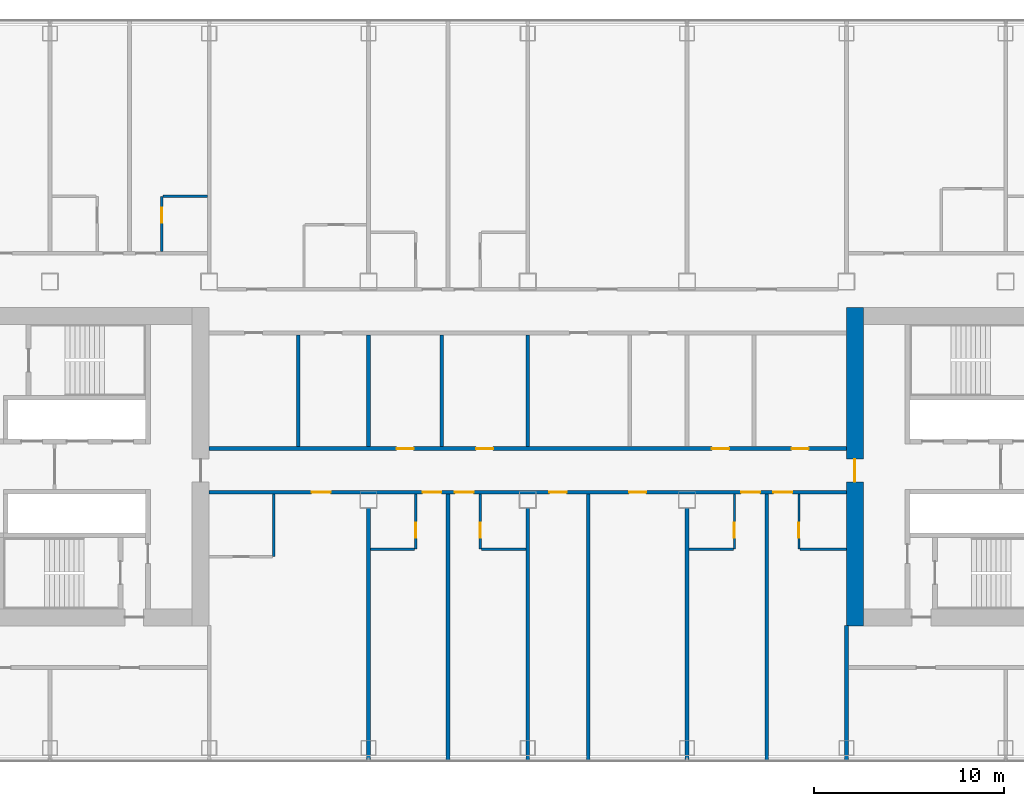
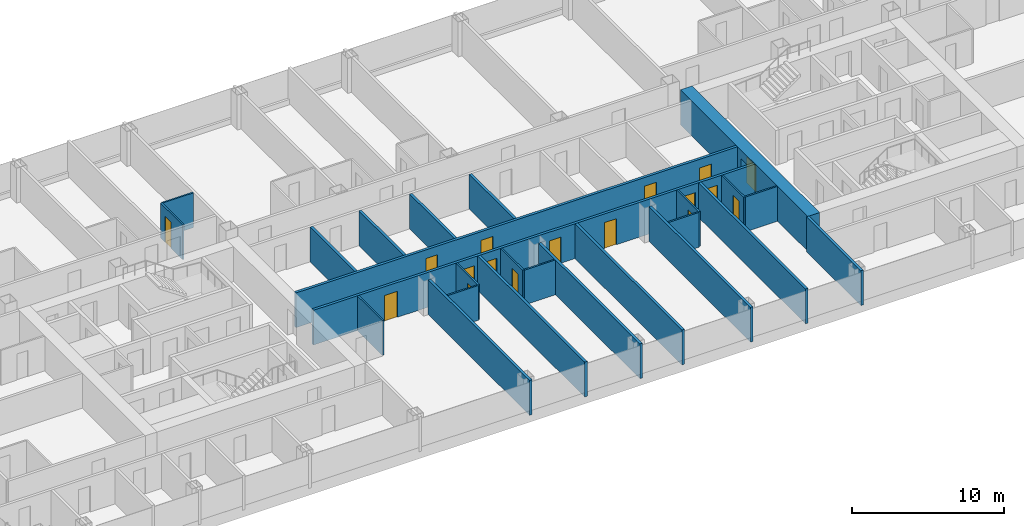
# One storey, part 17 of 29: 25 walls, 17 doors, 17 openings.
"""IFC4 building model written with IfcOpenShell, lengths in metres."""

from ifc_helpers import new_model, si_unit, direction, frame, frame_2d, origin, place, context, subcontext, project, spatial, rectangle, extrude, material, layer, layer_set, type_object, element, fill, save


model = new_model("IFC4")

# Units and contexts
model_context = context("Model", 3, precision=1e-05, world=origin(), true_north=direction((0.0, 1.0)))
body_context = subcontext(model_context, "Body", "Model", "MODEL_VIEW")
ifc_project = project(units=[si_unit("LENGTHUNIT", "METRE"), si_unit("AREAUNIT", "SQUARE_METRE"), si_unit("VOLUMEUNIT", "CUBIC_METRE"), si_unit("PLANEANGLEUNIT", "RADIAN"), si_unit("MASSUNIT", "GRAM", prefix="KILO")], contexts=[model_context])

# Site, building, storey
site_placement = place(None, origin())
site = spatial("IfcSite", under=ifc_project, at=site_placement, CompositionType="ELEMENT")
building_placement = place(site_placement, origin())
building = spatial("IfcBuilding", under=site, at=building_placement, Name="Hakoniwa Tower and Hamabe Station Hall", CompositionType="ELEMENT")
storey_placement = place(building_placement, frame((0.0, 0.0, 113.800048828125)))
storey = spatial("IfcBuildingStorey", under=building, at=storey_placement, Name="L32", CompositionType="ELEMENT", Elevation=113.800048828125)

# Walls
ifc_material_1 = material(Name="Gypsum board partition", Category="gypsum")
ifc_layer_1 = layer(ifc_material_1, 0.125)
ifc_layer_set_1 = layer_set([ifc_layer_1], Name="Bathroom Partition 125")
wall_type_1 = type_object("IfcWallType", Name="Bathroom Partition 125", PredefinedType="PARTITIONING", material=ifc_layer_set_1)
wall_1_placement = place(storey_placement, frame((-8.300048828125, -4.35009765625, 0.0), z_axis=(0.0, 0.0, 1.0), x_axis=(1.0, 0.0, 0.0)))
element("IfcWall", 1, at=wall_1_placement, inside=storey, type_object=wall_type_1, Name="GW-L32-008", PredefinedType="PARTITIONING", context=body_context, shape_type="SweptSolid", body=[
    extrude(rectangle(XDim=2.337646484375, YDim=0.125, at=frame_2d((1.1689453125, 0.0))), origin(), (0.0, 0.0, 1.0), 2.800048828125),
])
for number, where, z_axis, x_axis, name in (
    (2, (-2.4375, -4.35009765625, 0.0), (0.0, 0.0, 1.0), (1.0, 0.0, 0.0), "GW-L32-009"),
    (3, (8.5, -4.35009765625, 0.0), (0.0, 0.0, 1.0), (1.0, 0.0, 0.0), "GW-L32-010"),
):
    element("IfcWall", number, at=place(storey_placement, frame(where, z_axis=z_axis, x_axis=x_axis)), inside=storey, type_object=wall_type_1, Name=name, PredefinedType="PARTITIONING", context=body_context, shape_type="SweptSolid", body=[
        extrude(rectangle(XDim=2.33740234375, YDim=0.125, at=frame_2d((1.168701171875, 0.0))), origin(), (0.0, 0.0, 1.0), 2.800048828125),
    ])
wall_2_placement = place(storey_placement, frame((14.362548828125, -4.35009765625, 0.0), z_axis=(0.0, 0.0, 1.0), x_axis=(1.0, 0.0, 0.0)))
element("IfcWall", 4, at=wall_2_placement, inside=storey, type_object=wall_type_1, Name="GW-L32-011", PredefinedType="PARTITIONING", context=body_context, shape_type="SweptSolid", body=[
    extrude(rectangle(XDim=2.447509765625, YDim=0.125, at=frame_2d((1.2236328125, 0.0))), origin(), (0.0, 0.0, 1.0), 2.800048828125),
])
wall_3_placement = place(storey_placement, frame((-19.237548828125, 14.25, 0.0), z_axis=(0.0, 0.0, 1.0), x_axis=(1.0, 0.0, 0.0)))
element("IfcWall", 5, at=wall_3_placement, inside=storey, type_object=wall_type_1, Name="GW-L32-030", PredefinedType="PARTITIONING", context=body_context, shape_type="SweptSolid", body=[
    extrude(rectangle(XDim=2.337646484375, YDim=0.125, at=frame_2d((1.1689453125, 0.0))), origin(), (0.0, 0.0, 1.0), 2.800048828125),
])

# Wall, opening, door
wall_4_placement = place(storey_placement, frame((-19.300048828125, 11.35009765625, 0.0), z_axis=(0.0, 0.0, 1.0), x_axis=(0.0, 1.0, 0.0)))
wall_4 = element("IfcWall", 6, at=wall_4_placement, inside=storey, type_object=wall_type_1, Name="GW-L32-053", PredefinedType="PARTITIONING", context=body_context, shape_type="SweptSolid", body=[
    extrude(rectangle(XDim=2.89990234375, YDim=0.125, at=frame_2d((1.449951171875, 0.0))), origin(), (0.0, 0.0, 1.0), 2.800048828125),
])
opening_1_placement = place(wall_4_placement, frame((1.5, 0.0, 0.0)))
opening_1 = element("IfcOpeningElement", 7, at=opening_1_placement, cuts=wall_4, Name="Opening GD-G2C2-59", PredefinedType="OPENING", context=body_context, shape_type="SweptSolid", body=[
    extrude(rectangle(XDim=0.800048828125, YDim=2.10009765625, at=frame_2d((0.39990234375, 1.050048828125))), frame((0.0, 0.072509765625, 0.0), z_axis=(0.0, -1.0, 0.0), x_axis=(1.0, 0.0, 0.0)), (0.0, 0.0, 1.0), 0.14501953125),
])
ifc_material_2 = material(Name="Timber door leaf", Category="wood")
door_type_1 = type_object("IfcDoorType", Name="Bathroom Door 800", OperationType="SINGLE_SWING_LEFT", PredefinedType="DOOR", material=ifc_material_2)
door_1_placement = place(opening_1_placement, origin())
door_1 = element("IfcDoor", 8, at=door_1_placement, inside=storey, type_object=door_type_1, Name="Door GD-G2C2-59", OperationType="SINGLE_SWING_RIGHT", OverallHeight=2.10009765625, OverallWidth=0.800048828125, PredefinedType="DOOR", context=body_context, shape_type="SweptSolid", body=[
    extrude(rectangle(XDim=0.800048828125, YDim=2.10009765625, at=frame_2d((0.39990234375, 1.050048828125))), frame((0.0, 0.02490234375, 0.0), z_axis=(0.0, -1.0, 0.0), x_axis=(1.0, 0.0, 0.0)), (0.0, 0.0, 1.0), 0.050048828125),
])
fill(opening_1, door_1)

# Wall
wall_5_placement = place(storey_placement, frame((-13.39990234375, -4.75, 0.0), z_axis=(0.0, 0.0, 1.0), x_axis=(0.0, 1.0, 0.0)))
element("IfcWall", 9, at=wall_5_placement, inside=storey, type_object=wall_type_1, Name="GW-L32-056", PredefinedType="PARTITIONING", context=body_context, shape_type="SweptSolid", body=[
    extrude(rectangle(XDim=3.300048828125, YDim=0.125, at=frame_2d((1.64990234375, 0.0))), origin(), (0.0, 0.0, 1.0), 2.800048828125),
])

# Wall, opening, door
wall_6_placement = place(storey_placement, frame((-5.89990234375, -4.35009765625, 0.0), z_axis=(0.0, 0.0, 1.0), x_axis=(0.0, 1.0, 0.0)))
wall_6 = element("IfcWall", 10, at=wall_6_placement, inside=storey, type_object=wall_type_1, Name="GW-L32-062", PredefinedType="PARTITIONING", context=body_context, shape_type="SweptSolid", body=[
    extrude(rectangle(XDim=2.900146484375, YDim=0.125, at=frame_2d((1.4501953125, 0.0))), origin(), (0.0, 0.0, 1.0), 2.800048828125),
])
opening_2_placement = place(wall_6_placement, frame((0.60009765625, 0.0, 0.0)))
opening_2 = element("IfcOpeningElement", 11, at=opening_2_placement, cuts=wall_6, Name="Opening GD-G2C2-60", PredefinedType="OPENING", context=body_context, shape_type="SweptSolid", body=[
    extrude(rectangle(XDim=0.800048828125, YDim=2.10009765625, at=frame_2d((0.39990234375, 1.050048828125))), frame((0.0, 0.072509765625, 0.0), z_axis=(0.0, -1.0, 0.0), x_axis=(1.0, 0.0, 0.0)), (0.0, 0.0, 1.0), 0.14501953125),
])
door_2_placement = place(opening_2_placement, origin())
door_2 = element("IfcDoor", 12, at=door_2_placement, inside=storey, type_object=door_type_1, Name="Door GD-G2C2-60", OperationType="SINGLE_SWING_RIGHT", OverallHeight=2.10009765625, OverallWidth=0.800048828125, PredefinedType="DOOR", context=body_context, shape_type="SweptSolid", body=[
    extrude(rectangle(XDim=0.800048828125, YDim=2.10009765625, at=frame_2d((0.39990234375, 1.050048828125))), frame((0.0, 0.02490234375, 0.0), z_axis=(0.0, -1.0, 0.0), x_axis=(1.0, 0.0, 0.0)), (0.0, 0.0, 1.0), 0.050048828125),
])
fill(opening_2, door_2)

wall_7_placement = place(storey_placement, frame((-2.5, -4.35009765625, 0.0), z_axis=(0.0, 0.0, 1.0), x_axis=(0.0, 1.0, 0.0)))
wall_7 = element("IfcWall", 13, at=wall_7_placement, inside=storey, type_object=wall_type_1, Name="GW-L32-067", PredefinedType="PARTITIONING", context=body_context, shape_type="SweptSolid", body=[
    extrude(rectangle(XDim=2.900146484375, YDim=0.125, at=frame_2d((1.4501953125, 0.0))), origin(), (0.0, 0.0, 1.0), 2.800048828125),
])
opening_3_placement = place(wall_7_placement, frame((0.60009765625, 0.0, 0.0)))
opening_3 = element("IfcOpeningElement", 14, at=opening_3_placement, cuts=wall_7, Name="Opening GD-G2C2-62", PredefinedType="OPENING", context=body_context, shape_type="SweptSolid", body=[
    extrude(rectangle(XDim=0.800048828125, YDim=2.10009765625, at=frame_2d((0.39990234375, 1.050048828125))), frame((0.0, 0.072509765625, 0.0), z_axis=(0.0, -1.0, 0.0), x_axis=(1.0, 0.0, 0.0)), (0.0, 0.0, 1.0), 0.14501953125),
])
door_3_placement = place(opening_3_placement, origin())
door_3 = element("IfcDoor", 15, at=door_3_placement, inside=storey, type_object=door_type_1, Name="Door GD-G2C2-62", OperationType="SINGLE_SWING_LEFT", OverallHeight=2.10009765625, OverallWidth=0.800048828125, PredefinedType="DOOR", context=body_context, shape_type="SweptSolid", body=[
    extrude(rectangle(XDim=0.800048828125, YDim=2.10009765625, at=frame_2d((0.39990234375, 1.050048828125))), frame((0.0, 0.02490234375, 0.0), z_axis=(0.0, -1.0, 0.0), x_axis=(1.0, 0.0, 0.0)), (0.0, 0.0, 1.0), 0.050048828125),
])
fill(opening_3, door_3)

wall_8_placement = place(storey_placement, frame((10.89990234375, -4.35009765625, 0.0), z_axis=(0.0, 0.0, 1.0), x_axis=(0.0, 1.0, 0.0)))
wall_8 = element("IfcWall", 16, at=wall_8_placement, inside=storey, type_object=wall_type_1, Name="GW-L32-077", PredefinedType="PARTITIONING", context=body_context, shape_type="SweptSolid", body=[
    extrude(rectangle(XDim=2.900146484375, YDim=0.125, at=frame_2d((1.4501953125, 0.0))), origin(), (0.0, 0.0, 1.0), 2.800048828125),
])
opening_4_placement = place(wall_8_placement, frame((0.60009765625, 0.0, 0.0)))
opening_4 = element("IfcOpeningElement", 17, at=opening_4_placement, cuts=wall_8, Name="Opening GD-G2C2-64", PredefinedType="OPENING", context=body_context, shape_type="SweptSolid", body=[
    extrude(rectangle(XDim=0.800048828125, YDim=2.10009765625, at=frame_2d((0.39990234375, 1.050048828125))), frame((0.0, 0.072509765625, 0.0), z_axis=(0.0, -1.0, 0.0), x_axis=(1.0, 0.0, 0.0)), (0.0, 0.0, 1.0), 0.14501953125),
])
door_4_placement = place(opening_4_placement, origin())
door_4 = element("IfcDoor", 18, at=door_4_placement, inside=storey, type_object=door_type_1, Name="Door GD-G2C2-64", OperationType="SINGLE_SWING_RIGHT", OverallHeight=2.10009765625, OverallWidth=0.800048828125, PredefinedType="DOOR", context=body_context, shape_type="SweptSolid", body=[
    extrude(rectangle(XDim=0.800048828125, YDim=2.10009765625, at=frame_2d((0.39990234375, 1.050048828125))), frame((0.0, 0.02490234375, 0.0), z_axis=(0.0, -1.0, 0.0), x_axis=(1.0, 0.0, 0.0)), (0.0, 0.0, 1.0), 0.050048828125),
])
fill(opening_4, door_4)

wall_9_placement = place(storey_placement, frame((14.300048828125, -4.35009765625, 0.0), z_axis=(0.0, 0.0, 1.0), x_axis=(0.0, 1.0, 0.0)))
wall_9 = element("IfcWall", 19, at=wall_9_placement, inside=storey, type_object=wall_type_1, Name="GW-L32-080", PredefinedType="PARTITIONING", context=body_context, shape_type="SweptSolid", body=[
    extrude(rectangle(XDim=2.900146484375, YDim=0.125, at=frame_2d((1.4501953125, 0.0))), origin(), (0.0, 0.0, 1.0), 2.800048828125),
])
opening_5_placement = place(wall_9_placement, frame((0.60009765625, 0.0, 0.0)))
opening_5 = element("IfcOpeningElement", 20, at=opening_5_placement, cuts=wall_9, Name="Opening GD-G2C2-65", PredefinedType="OPENING", context=body_context, shape_type="SweptSolid", body=[
    extrude(rectangle(XDim=0.800048828125, YDim=2.10009765625, at=frame_2d((0.39990234375, 1.050048828125))), frame((0.0, 0.072509765625, 0.0), z_axis=(0.0, -1.0, 0.0), x_axis=(1.0, 0.0, 0.0)), (0.0, 0.0, 1.0), 0.14501953125),
])
door_5_placement = place(opening_5_placement, origin())
door_5 = element("IfcDoor", 21, at=door_5_placement, inside=storey, type_object=door_type_1, Name="Door GD-G2C2-65", OperationType="SINGLE_SWING_LEFT", OverallHeight=2.10009765625, OverallWidth=0.800048828125, PredefinedType="DOOR", context=body_context, shape_type="SweptSolid", body=[
    extrude(rectangle(XDim=0.800048828125, YDim=2.10009765625, at=frame_2d((0.39990234375, 1.050048828125))), frame((0.0, 0.02490234375, 0.0), z_axis=(0.0, -1.0, 0.0), x_axis=(1.0, 0.0, 0.0)), (0.0, 0.0, 1.0), 0.050048828125),
])
fill(opening_5, door_5)

ifc_material_3 = material(Name="Concrete C72", Category="concrete")
ifc_layer_2 = layer(ifc_material_3, 0.89990234375)
ifc_layer_set_2 = layer_set([ifc_layer_2], Name="CORE WALL 900 C72")
wall_type_2 = type_object("IfcWallType", Name="CORE WALL 900 C72", PredefinedType="SHEAR", material=ifc_layer_set_2)
wall_10_placement = place(storey_placement, frame((17.25, -8.39990234375, 0.0), z_axis=(0.0, 0.0, 1.0), x_axis=(0.0, 1.0, 0.0)))
wall_10 = element("IfcWall", 22, at=wall_10_placement, inside=storey, type_object=wall_type_2, Name="Core wall INNER east", PredefinedType="SHEAR", context=body_context, shape_type="SweptSolid", body=[
    extrude(rectangle(XDim=16.7998046875, YDim=0.89990234375, at=frame_2d((8.39990234375, 0.0))), origin(), (0.0, 0.0, 1.0), 2.800048828125),
])
opening_6_placement = place(wall_10_placement, frame((7.60009765625, 0.0, 0.0)))
opening_6 = element("IfcOpeningElement", 23, at=opening_6_placement, cuts=wall_10, Name="Opening CD-E-IN1-12", PredefinedType="OPENING", context=body_context, shape_type="SweptSolid", body=[
    extrude(rectangle(XDim=1.199951171875, YDim=2.10009765625, at=frame_2d((0.60009765625, 1.050048828125))), frame((0.0, 0.4599609375, 0.0), z_axis=(0.0, -1.0, 0.0), x_axis=(1.0, 0.0, 0.0)), (0.0, 0.0, 1.0), 0.919921875),
])
ifc_material_4 = material(Name="Steel fire door", Category="steel")
door_type_2 = type_object("IfcDoorType", Name="CORE DOOR 1200 FD60", OperationType="DOUBLE_DOOR_SINGLE_SWING", PredefinedType="DOOR", material=ifc_material_4)
door_6_placement = place(opening_6_placement, origin())
door_6 = element("IfcDoor", 24, at=door_6_placement, inside=storey, type_object=door_type_2, Name="Lift lobby door", OperationType="DOUBLE_DOOR_SINGLE_SWING", OverallHeight=2.10009765625, OverallWidth=1.199951171875, PredefinedType="DOOR", context=body_context, shape_type="SweptSolid", body=[
    extrude(rectangle(XDim=1.199951171875, YDim=2.10009765625, at=frame_2d((0.60009765625, 1.050048828125))), frame((0.0, 0.02490234375, 0.0), z_axis=(0.0, -1.0, 0.0), x_axis=(1.0, 0.0, 0.0)), (0.0, 0.0, 1.0), 0.050048828125),
])
fill(opening_6, door_6)

# Wall, openings, doors
ifc_material_5 = material(Name="Fire-rated gypsum board partition", Category="gypsum")
ifc_layer_3 = layer(ifc_material_5, 0.199951171875)
ifc_layer_set_3 = layer_set([ifc_layer_3], Name="Corridor Wall 200")
wall_type_3 = type_object("IfcWallType", Name="Corridor Wall 200", PredefinedType="PARTITIONING", material=ifc_layer_set_3)
wall_11_placement = place(storey_placement, frame((-16.800048828125, -1.35009765625, 0.0), z_axis=(0.0, 0.0, 1.0), x_axis=(1.0, 0.0, 0.0)))
wall_11 = element("IfcWall", 25, at=wall_11_placement, inside=storey, type_object=wall_type_3, Name="GW-L32-012", PredefinedType="PARTITIONING", context=body_context, shape_type="SweptSolid", body=[
    extrude(rectangle(XDim=33.60009765625, YDim=0.199951171875, at=frame_2d((16.800048828125, 0.0))), origin(), (0.0, 0.0, 1.0), 2.800048828125),
])
opening_7_placement = place(wall_11_placement, frame((5.39990234375, 0.0, 0.0)))
opening_7 = element("IfcOpeningElement", 26, at=opening_7_placement, cuts=wall_11, Name="Opening GD-G2C2-17", PredefinedType="OPENING", context=body_context, shape_type="SweptSolid", body=[
    extrude(rectangle(XDim=1.0, YDim=2.10009765625, at=frame_2d((0.5, 1.050048828125))), frame((0.0, 0.10986328125, 0.0), z_axis=(0.0, -1.0, 0.0), x_axis=(1.0, 0.0, 0.0)), (0.0, 0.0, 1.0), 0.219970703125),
])
opening_8_placement = place(wall_11_placement, frame((11.25, 0.0, 0.0)))
opening_8 = element("IfcOpeningElement", 27, at=opening_8_placement, cuts=wall_11, Name="Opening GD-G2C2-18", PredefinedType="OPENING", context=body_context, shape_type="SweptSolid", body=[
    extrude(rectangle(XDim=1.0, YDim=2.10009765625, at=frame_2d((0.5, 1.050048828125))), frame((0.0, 0.10986328125, 0.0), z_axis=(0.0, -1.0, 0.0), x_axis=(1.0, 0.0, 0.0)), (0.0, 0.0, 1.0), 0.219970703125),
])
opening_9_placement = place(wall_11_placement, frame((12.949951171875, 0.0, 0.0)))
opening_9 = element("IfcOpeningElement", 28, at=opening_9_placement, cuts=wall_11, Name="Opening GD-G2C2-19", PredefinedType="OPENING", context=body_context, shape_type="SweptSolid", body=[
    extrude(rectangle(XDim=1.0, YDim=2.10009765625, at=frame_2d((0.5, 1.050048828125))), frame((0.0, 0.10986328125, 0.0), z_axis=(0.0, -1.0, 0.0), x_axis=(1.0, 0.0, 0.0)), (0.0, 0.0, 1.0), 0.219970703125),
])
opening_10_placement = place(wall_11_placement, frame((17.945068359375, 0.0, 0.0)))
opening_10 = element("IfcOpeningElement", 29, at=opening_10_placement, cuts=wall_11, Name="Opening GD-G2C2-20", PredefinedType="OPENING", context=body_context, shape_type="SweptSolid", body=[
    extrude(rectangle(XDim=0.89990234375, YDim=2.10009765625, at=frame_2d((0.449951171875, 1.050048828125))), frame((0.0, 0.10986328125, 0.0), z_axis=(0.0, -1.0, 0.0), x_axis=(1.0, 0.0, 0.0)), (0.0, 0.0, 1.0), 0.219970703125),
])
opening_11_placement = place(wall_11_placement, frame((22.14501953125, 0.0, 0.0)))
opening_11 = element("IfcOpeningElement", 30, at=opening_11_placement, cuts=wall_11, Name="Opening GD-G2C2-21", PredefinedType="OPENING", context=body_context, shape_type="SweptSolid", body=[
    extrude(rectangle(XDim=0.89990234375, YDim=2.10009765625, at=frame_2d((0.449951171875, 1.050048828125))), frame((0.0, 0.10986328125, 0.0), z_axis=(0.0, -1.0, 0.0), x_axis=(1.0, 0.0, 0.0)), (0.0, 0.0, 1.0), 0.219970703125),
])
opening_12_placement = place(wall_11_placement, frame((28.050048828125, 0.0, 0.0)))
opening_12 = element("IfcOpeningElement", 31, at=opening_12_placement, cuts=wall_11, Name="Opening GD-G2C2-22", PredefinedType="OPENING", context=body_context, shape_type="SweptSolid", body=[
    extrude(rectangle(XDim=1.0, YDim=2.10009765625, at=frame_2d((0.5, 1.050048828125))), frame((0.0, 0.10986328125, 0.0), z_axis=(0.0, -1.0, 0.0), x_axis=(1.0, 0.0, 0.0)), (0.0, 0.0, 1.0), 0.219970703125),
])
opening_13_placement = place(wall_11_placement, frame((29.75, 0.0, 0.0)))
opening_13 = element("IfcOpeningElement", 32, at=opening_13_placement, cuts=wall_11, Name="Opening GD-G2C2-23", PredefinedType="OPENING", context=body_context, shape_type="SweptSolid", body=[
    extrude(rectangle(XDim=1.0, YDim=2.10009765625, at=frame_2d((0.5, 1.050048828125))), frame((0.0, 0.10986328125, 0.0), z_axis=(0.0, -1.0, 0.0), x_axis=(1.0, 0.0, 0.0)), (0.0, 0.0, 1.0), 0.219970703125),
])
ifc_material_6 = material(Name="Timber door leaf", Category="wood")
door_type_3 = type_object("IfcDoorType", Name="Guest Entrance Door 1000", OperationType="SINGLE_SWING_LEFT", PredefinedType="DOOR", material=ifc_material_6)
door_7_placement = place(opening_7_placement, origin())
door_7 = element("IfcDoor", 33, at=door_7_placement, inside=storey, type_object=door_type_3, Name="Door GD-G2C2-17", OperationType="SINGLE_SWING_LEFT", OverallHeight=2.10009765625, OverallWidth=1.0, PredefinedType="DOOR", context=body_context, shape_type="SweptSolid", body=[
    extrude(rectangle(XDim=1.0, YDim=2.10009765625, at=frame_2d((0.5, 1.050048828125))), frame((0.0, 0.02490234375, 0.0), z_axis=(0.0, -1.0, 0.0), x_axis=(1.0, 0.0, 0.0)), (0.0, 0.0, 1.0), 0.050048828125),
])
fill(opening_7, door_7)
door_8_placement = place(opening_8_placement, origin())
door_8 = element("IfcDoor", 34, at=door_8_placement, inside=storey, type_object=door_type_3, Name="Door GD-G2C2-18", OperationType="SINGLE_SWING_RIGHT", OverallHeight=2.10009765625, OverallWidth=1.0, PredefinedType="DOOR", context=body_context, shape_type="SweptSolid", body=[
    extrude(rectangle(XDim=1.0, YDim=2.10009765625, at=frame_2d((0.5, 1.050048828125))), frame((0.0, 0.02490234375, 0.0), z_axis=(0.0, -1.0, 0.0), x_axis=(1.0, 0.0, 0.0)), (0.0, 0.0, 1.0), 0.050048828125),
])
fill(opening_8, door_8)
door_9_placement = place(opening_9_placement, origin())
door_9 = element("IfcDoor", 35, at=door_9_placement, inside=storey, type_object=door_type_3, Name="Door GD-G2C2-19", OperationType="SINGLE_SWING_LEFT", OverallHeight=2.10009765625, OverallWidth=1.0, PredefinedType="DOOR", context=body_context, shape_type="SweptSolid", body=[
    extrude(rectangle(XDim=1.0, YDim=2.10009765625, at=frame_2d((0.5, 1.050048828125))), frame((0.0, 0.02490234375, 0.0), z_axis=(0.0, -1.0, 0.0), x_axis=(1.0, 0.0, 0.0)), (0.0, 0.0, 1.0), 0.050048828125),
])
fill(opening_9, door_9)
door_10_placement = place(opening_12_placement, origin())
door_10 = element("IfcDoor", 36, at=door_10_placement, inside=storey, type_object=door_type_3, Name="Door GD-G2C2-22", OperationType="SINGLE_SWING_LEFT", OverallHeight=2.10009765625, OverallWidth=1.0, PredefinedType="DOOR", context=body_context, shape_type="SweptSolid", body=[
    extrude(rectangle(XDim=1.0, YDim=2.10009765625, at=frame_2d((0.5, 1.050048828125))), frame((0.0, 0.02490234375, 0.0), z_axis=(0.0, -1.0, 0.0), x_axis=(1.0, 0.0, 0.0)), (0.0, 0.0, 1.0), 0.050048828125),
])
fill(opening_12, door_10)
door_11_placement = place(opening_13_placement, origin())
door_11 = element("IfcDoor", 37, at=door_11_placement, inside=storey, type_object=door_type_3, Name="Door GD-G2C2-23", OperationType="SINGLE_SWING_RIGHT", OverallHeight=2.10009765625, OverallWidth=1.0, PredefinedType="DOOR", context=body_context, shape_type="SweptSolid", body=[
    extrude(rectangle(XDim=1.0, YDim=2.10009765625, at=frame_2d((0.5, 1.050048828125))), frame((0.0, 0.02490234375, 0.0), z_axis=(0.0, -1.0, 0.0), x_axis=(1.0, 0.0, 0.0)), (0.0, 0.0, 1.0), 0.050048828125),
])
fill(opening_13, door_11)
ifc_material_7 = material(Name="Timber door leaf", Category="wood")
door_type_4 = type_object("IfcDoorType", Name="Service Door 900", OperationType="SINGLE_SWING_LEFT", PredefinedType="DOOR", material=ifc_material_7)
door_12_placement = place(opening_10_placement, origin())
door_12 = element("IfcDoor", 38, at=door_12_placement, inside=storey, type_object=door_type_4, Name="Door GD-G2C2-20", OperationType="SINGLE_SWING_RIGHT", OverallHeight=2.10009765625, OverallWidth=0.89990234375, PredefinedType="DOOR", context=body_context, shape_type="SweptSolid", body=[
    extrude(rectangle(XDim=0.89990234375, YDim=2.10009765625, at=frame_2d((0.449951171875, 1.050048828125))), frame((0.0, 0.02490234375, 0.0), z_axis=(0.0, -1.0, 0.0), x_axis=(1.0, 0.0, 0.0)), (0.0, 0.0, 1.0), 0.050048828125),
])
fill(opening_10, door_12)
door_13_placement = place(opening_11_placement, origin())
door_13 = element("IfcDoor", 39, at=door_13_placement, inside=storey, type_object=door_type_4, Name="Door GD-G2C2-21", OperationType="SINGLE_SWING_RIGHT", OverallHeight=2.10009765625, OverallWidth=0.89990234375, PredefinedType="DOOR", context=body_context, shape_type="SweptSolid", body=[
    extrude(rectangle(XDim=0.89990234375, YDim=2.10009765625, at=frame_2d((0.449951171875, 1.050048828125))), frame((0.0, 0.02490234375, 0.0), z_axis=(0.0, -1.0, 0.0), x_axis=(1.0, 0.0, 0.0)), (0.0, 0.0, 1.0), 0.050048828125),
])
fill(opening_11, door_13)

wall_12_placement = place(storey_placement, frame((-16.800048828125, 0.949951171875, 0.0), z_axis=(0.0, 0.0, 1.0), x_axis=(1.0, 0.0, 0.0)))
wall_12 = element("IfcWall", 40, at=wall_12_placement, inside=storey, type_object=wall_type_3, Name="GW-L32-015", PredefinedType="PARTITIONING", context=body_context, shape_type="SweptSolid", body=[
    extrude(rectangle(XDim=33.60009765625, YDim=0.199951171875, at=frame_2d((16.800048828125, 0.0))), origin(), (0.0, 0.0, 1.0), 2.800048828125),
])
opening_14_placement = place(wall_12_placement, frame((9.8798828125, 0.0, 0.0)))
opening_14 = element("IfcOpeningElement", 41, at=opening_14_placement, cuts=wall_12, Name="Opening GD-G2C2-24", PredefinedType="OPENING", context=body_context, shape_type="SweptSolid", body=[
    extrude(rectangle(XDim=0.89990234375, YDim=2.10009765625, at=frame_2d((0.449951171875, 1.050048828125))), frame((0.0, 0.10986328125, 0.0), z_axis=(0.0, -1.0, 0.0), x_axis=(1.0, 0.0, 0.0)), (0.0, 0.0, 1.0), 0.219970703125),
])
opening_15_placement = place(wall_12_placement, frame((14.080078125, 0.0, 0.0)))
opening_15 = element("IfcOpeningElement", 42, at=opening_15_placement, cuts=wall_12, Name="Opening GD-G2C2-25", PredefinedType="OPENING", context=body_context, shape_type="SweptSolid", body=[
    extrude(rectangle(XDim=0.89990234375, YDim=2.10009765625, at=frame_2d((0.449951171875, 1.050048828125))), frame((0.0, 0.10986328125, 0.0), z_axis=(0.0, -1.0, 0.0), x_axis=(1.0, 0.0, 0.0)), (0.0, 0.0, 1.0), 0.219970703125),
])
opening_16_placement = place(wall_12_placement, frame((26.514892578125, 0.0, 0.0)))
opening_16 = element("IfcOpeningElement", 43, at=opening_16_placement, cuts=wall_12, Name="Opening GD-G2C2-26", PredefinedType="OPENING", context=body_context, shape_type="SweptSolid", body=[
    extrude(rectangle(XDim=0.89990234375, YDim=2.10009765625, at=frame_2d((0.449951171875, 1.050048828125))), frame((0.0, 0.10986328125, 0.0), z_axis=(0.0, -1.0, 0.0), x_axis=(1.0, 0.0, 0.0)), (0.0, 0.0, 1.0), 0.219970703125),
])
opening_17_placement = place(wall_12_placement, frame((30.715087890625, 0.0, 0.0)))
opening_17 = element("IfcOpeningElement", 44, at=opening_17_placement, cuts=wall_12, Name="Opening GD-G2C2-27", PredefinedType="OPENING", context=body_context, shape_type="SweptSolid", body=[
    extrude(rectangle(XDim=0.89990234375, YDim=2.10009765625, at=frame_2d((0.449951171875, 1.050048828125))), frame((0.0, 0.10986328125, 0.0), z_axis=(0.0, -1.0, 0.0), x_axis=(1.0, 0.0, 0.0)), (0.0, 0.0, 1.0), 0.219970703125),
])
door_14_placement = place(opening_14_placement, origin())
door_14 = element("IfcDoor", 45, at=door_14_placement, inside=storey, type_object=door_type_4, Name="Door GD-G2C2-24", OperationType="SINGLE_SWING_RIGHT", OverallHeight=2.10009765625, OverallWidth=0.89990234375, PredefinedType="DOOR", context=body_context, shape_type="SweptSolid", body=[
    extrude(rectangle(XDim=0.89990234375, YDim=2.10009765625, at=frame_2d((0.449951171875, 1.050048828125))), frame((0.0, 0.02490234375, 0.0), z_axis=(0.0, -1.0, 0.0), x_axis=(1.0, 0.0, 0.0)), (0.0, 0.0, 1.0), 0.050048828125),
])
fill(opening_14, door_14)
door_15_placement = place(opening_15_placement, origin())
door_15 = element("IfcDoor", 46, at=door_15_placement, inside=storey, type_object=door_type_4, Name="Door GD-G2C2-25", OperationType="SINGLE_SWING_LEFT", OverallHeight=2.10009765625, OverallWidth=0.89990234375, PredefinedType="DOOR", context=body_context, shape_type="SweptSolid", body=[
    extrude(rectangle(XDim=0.89990234375, YDim=2.10009765625, at=frame_2d((0.449951171875, 1.050048828125))), frame((0.0, 0.02490234375, 0.0), z_axis=(0.0, -1.0, 0.0), x_axis=(1.0, 0.0, 0.0)), (0.0, 0.0, 1.0), 0.050048828125),
])
fill(opening_15, door_15)
door_16_placement = place(opening_16_placement, origin())
door_16 = element("IfcDoor", 47, at=door_16_placement, inside=storey, type_object=door_type_4, Name="Door GD-G2C2-26", OperationType="SINGLE_SWING_RIGHT", OverallHeight=2.10009765625, OverallWidth=0.89990234375, PredefinedType="DOOR", context=body_context, shape_type="SweptSolid", body=[
    extrude(rectangle(XDim=0.89990234375, YDim=2.10009765625, at=frame_2d((0.449951171875, 1.050048828125))), frame((0.0, 0.02490234375, 0.0), z_axis=(0.0, -1.0, 0.0), x_axis=(1.0, 0.0, 0.0)), (0.0, 0.0, 1.0), 0.050048828125),
])
fill(opening_16, door_16)
door_17_placement = place(opening_17_placement, origin())
door_17 = element("IfcDoor", 48, at=door_17_placement, inside=storey, type_object=door_type_4, Name="Door GD-G2C2-27", OperationType="SINGLE_SWING_LEFT", OverallHeight=2.10009765625, OverallWidth=0.89990234375, PredefinedType="DOOR", context=body_context, shape_type="SweptSolid", body=[
    extrude(rectangle(XDim=0.89990234375, YDim=2.10009765625, at=frame_2d((0.449951171875, 1.050048828125))), frame((0.0, 0.02490234375, 0.0), z_axis=(0.0, -1.0, 0.0), x_axis=(1.0, 0.0, 0.0)), (0.0, 0.0, 1.0), 0.050048828125),
])
fill(opening_17, door_17)

# Walls
ifc_material_8 = material(Name="Fire-rated gypsum board partition", Category="gypsum")
ifc_layer_4 = layer(ifc_material_8, 0.199951171875)
ifc_layer_set_4 = layer_set([ifc_layer_4], Name="Party Wall 200")
wall_type_4 = type_object("IfcWallType", Name="Party Wall 200", PredefinedType="PARTITIONING", material=ifc_layer_set_4)
wall_13_placement = place(storey_placement, frame((-12.10009765625, 1.050048828125, 0.0), z_axis=(0.0, 0.0, 1.0), x_axis=(0.0, 1.0, 0.0)))
element("IfcWall", 49, at=wall_13_placement, inside=storey, type_object=wall_type_4, Name="GW-L32-057", PredefinedType="PARTITIONING", context=body_context, shape_type="SweptSolid", body=[
    extrude(rectangle(XDim=5.89990234375, YDim=0.199951171875, at=frame_2d((2.949951171875, 0.0))), origin(), (0.0, 0.0, 1.0), 2.800048828125),
])
wall_14_placement = place(storey_placement, frame((-8.39990234375, -15.550048828125, 0.0), z_axis=(0.0, 0.0, 1.0), x_axis=(0.0, 1.0, 0.0)))
element("IfcWall", 50, at=wall_14_placement, inside=storey, type_object=wall_type_4, Name="GW-L32-059", PredefinedType="PARTITIONING", context=body_context, shape_type="SweptSolid", body=[
    extrude(rectangle(XDim=13.360107421875, YDim=0.199951171875, at=frame_2d((6.68017578125, 0.0))), origin(), (0.0, 0.0, 1.0), 2.800048828125),
])
for number, where, z_axis, x_axis, name in (
    (51, (-8.39990234375, 1.050048828125, 0.0), (0.0, 0.0, 1.0), (0.0, 1.0, 0.0), "GW-L32-060"),
    (52, (-4.5400390625, 1.050048828125, 0.0), (0.0, 0.0, 1.0), (0.0, 1.0, 0.0), "GW-L32-064"),
):
    element("IfcWall", number, at=place(storey_placement, frame(where, z_axis=z_axis, x_axis=x_axis)), inside=storey, type_object=wall_type_4, Name=name, PredefinedType="PARTITIONING", context=body_context, shape_type="SweptSolid", body=[
        extrude(rectangle(XDim=5.89990234375, YDim=0.199951171875, at=frame_2d((2.949951171875, 0.0))), origin(), (0.0, 0.0, 1.0), 2.800048828125),
    ])
wall_15_placement = place(storey_placement, frame((-4.199951171875, -15.550048828125, 0.0), z_axis=(0.0, 0.0, 1.0), x_axis=(0.0, 1.0, 0.0)))
element("IfcWall", 53, at=wall_15_placement, inside=storey, type_object=wall_type_4, Name="GW-L32-065", PredefinedType="PARTITIONING", context=body_context, shape_type="SweptSolid", body=[
    extrude(rectangle(XDim=14.10009765625, YDim=0.199951171875, at=frame_2d((7.050048828125, 0.0))), origin(), (0.0, 0.0, 1.0), 2.800048828125),
])
wall_16_placement = place(storey_placement, frame((0.0, -15.550048828125, 0.0), z_axis=(0.0, 0.0, 1.0), x_axis=(0.0, 1.0, 0.0)))
element("IfcWall", 54, at=wall_16_placement, inside=storey, type_object=wall_type_4, Name="GW-L32-069", PredefinedType="PARTITIONING", context=body_context, shape_type="SweptSolid", body=[
    extrude(rectangle(XDim=13.360107421875, YDim=0.199951171875, at=frame_2d((6.68017578125, 0.0))), origin(), (0.0, 0.0, 1.0), 2.800048828125),
])
wall_17_placement = place(storey_placement, frame((0.0, 1.050048828125, 0.0), z_axis=(0.0, 0.0, 1.0), x_axis=(0.0, 1.0, 0.0)))
element("IfcWall", 55, at=wall_17_placement, inside=storey, type_object=wall_type_4, Name="GW-L32-070", PredefinedType="PARTITIONING", context=body_context, shape_type="SweptSolid", body=[
    extrude(rectangle(XDim=5.89990234375, YDim=0.199951171875, at=frame_2d((2.949951171875, 0.0))), origin(), (0.0, 0.0, 1.0), 2.800048828125),
])
wall_18_placement = place(storey_placement, frame((3.18994140625, -15.550048828125, 0.0), z_axis=(0.0, 0.0, 1.0), x_axis=(0.0, 1.0, 0.0)))
element("IfcWall", 56, at=wall_18_placement, inside=storey, type_object=wall_type_4, Name="GW-L32-072", PredefinedType="PARTITIONING", context=body_context, shape_type="SweptSolid", body=[
    extrude(rectangle(XDim=14.10009765625, YDim=0.199951171875, at=frame_2d((7.050048828125, 0.0))), origin(), (0.0, 0.0, 1.0), 2.800048828125),
])
wall_19_placement = place(storey_placement, frame((8.39990234375, -15.550048828125, 0.0), z_axis=(0.0, 0.0, 1.0), x_axis=(0.0, 1.0, 0.0)))
element("IfcWall", 57, at=wall_19_placement, inside=storey, type_object=wall_type_4, Name="GW-L32-074", PredefinedType="PARTITIONING", context=body_context, shape_type="SweptSolid", body=[
    extrude(rectangle(XDim=13.360107421875, YDim=0.199951171875, at=frame_2d((6.68017578125, 0.0))), origin(), (0.0, 0.0, 1.0), 2.800048828125),
])
wall_20_placement = place(storey_placement, frame((12.60009765625, -15.550048828125, 0.0), z_axis=(0.0, 0.0, 1.0), x_axis=(0.0, 1.0, 0.0)))
element("IfcWall", 58, at=wall_20_placement, inside=storey, type_object=wall_type_4, Name="GW-L32-079", PredefinedType="PARTITIONING", context=body_context, shape_type="SweptSolid", body=[
    extrude(rectangle(XDim=14.10009765625, YDim=0.199951171875, at=frame_2d((7.050048828125, 0.0))), origin(), (0.0, 0.0, 1.0), 2.800048828125),
])
wall_21_placement = place(storey_placement, frame((16.800048828125, -15.550048828125, 0.0), z_axis=(0.0, 0.0, 1.0), x_axis=(0.0, 1.0, 0.0)))
element("IfcWall", 59, at=wall_21_placement, inside=storey, type_object=wall_type_4, Name="GW-L32-081", PredefinedType="PARTITIONING", context=body_context, shape_type="SweptSolid", body=[
    extrude(rectangle(XDim=7.16015625, YDim=0.199951171875, at=frame_2d((3.580078125, 0.0))), origin(), (0.0, 0.0, 1.0), 2.800048828125),
])

save(model, "model.ifc")
